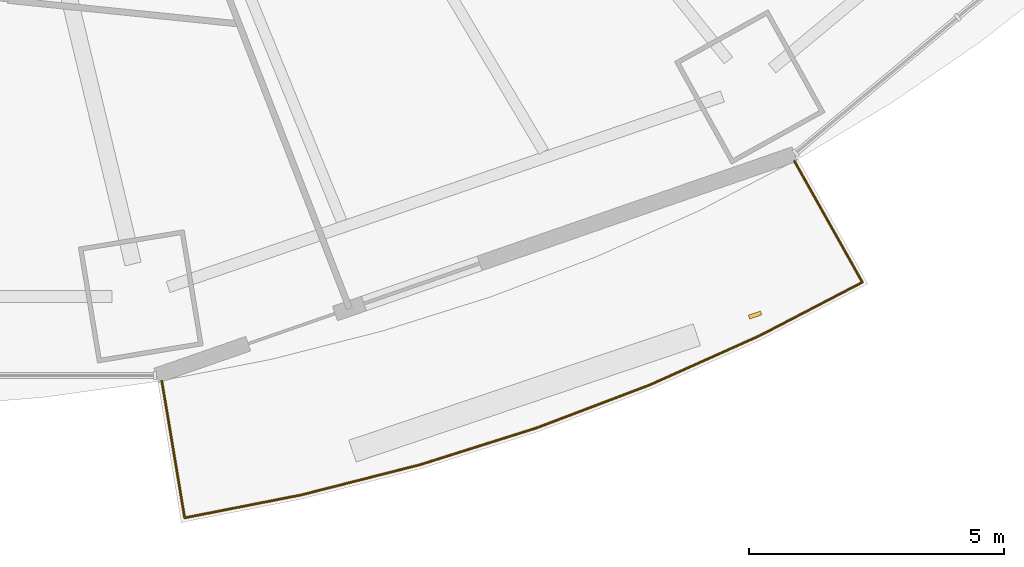
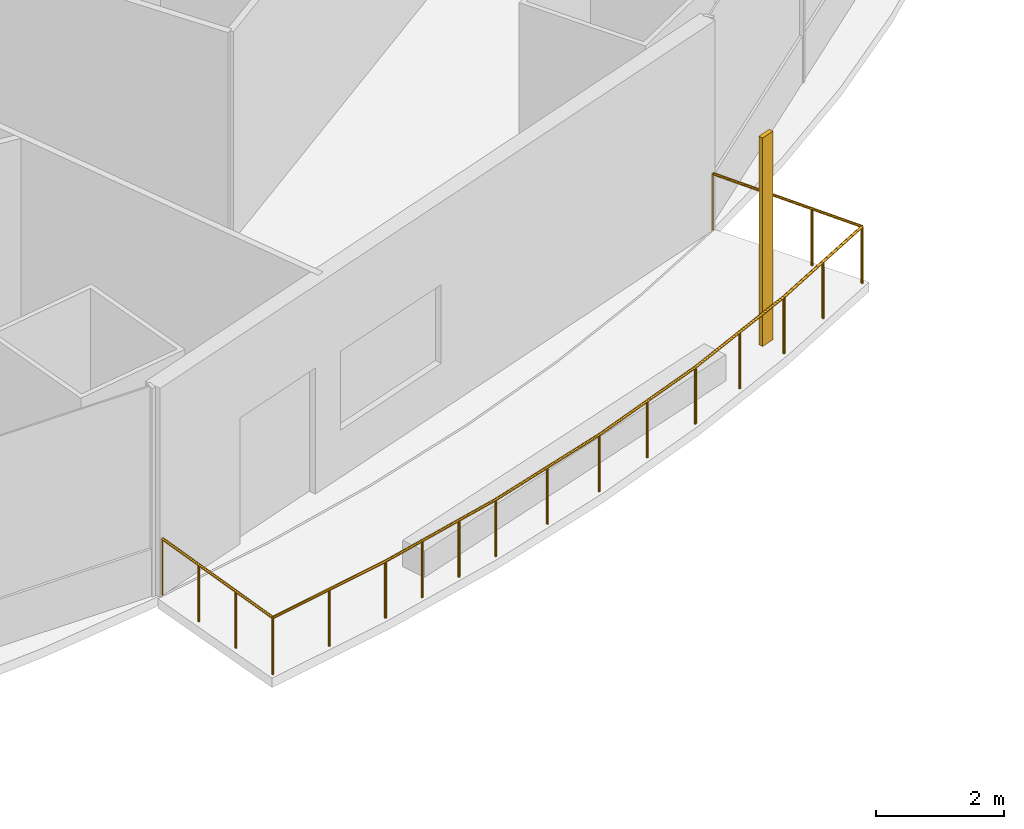
# One storey, part 18 of 22: 1 railing, 1 shading device.
"""IFC4 building model written with IfcOpenShell, lengths in metres."""

from ifc_helpers import new_model, si_unit, direction, frame, origin, origin_2d, place, context, subcontext, project, spatial, rectangle, circle, extrude, material, material_profile, profile_set, type_object, element, save


model = new_model("IFC4")

# Units and contexts
model_context = context("Model", 3, precision=1e-05, world=origin(), true_north=direction((0.0, 1.0)))
body_context = subcontext(model_context, "Body", "Model", "MODEL_VIEW")
ifc_project = project(units=[si_unit("LENGTHUNIT", "METRE"), si_unit("AREAUNIT", "SQUARE_METRE"), si_unit("VOLUMEUNIT", "CUBIC_METRE"), si_unit("PLANEANGLEUNIT", "RADIAN"), si_unit("MASSUNIT", "GRAM", prefix="KILO")], contexts=[model_context])

# Site, building, storey
site_placement = place(None, origin())
site = spatial("IfcSite", under=ifc_project, at=site_placement, CompositionType="ELEMENT")
building_placement = place(site_placement, origin())
building = spatial("IfcBuilding", under=site, at=building_placement, Name="Marenthal Gate Tower", CompositionType="ELEMENT")
storey_placement = place(building_placement, frame((0.0, 0.0, 95.25)))
storey = spatial("IfcBuildingStorey", under=building, at=storey_placement, Name="L19", CompositionType="ELEMENT", Elevation=95.25)

# Railing
ifc_material_1 = material(Name="Stainless steel", Category="steel")
railing_type = type_object("IfcRailingType", Name="Balcony guard 1100", PredefinedType="GUARDRAIL", material=ifc_material_1)
railing_placement = place(storey_placement, frame((19.25732421875, -24.295654296875, 0.0)))
element("IfcRailing", 1, at=railing_placement, inside=storey, type_object=railing_type, Name="Balcony guard L19 bay 13", PredefinedType="GUARDRAIL", context=body_context, shape_type="SweptSolid", body=[
    extrude(circle(Radius=0.02392578125, at=origin_2d()), frame((0.0, 0.0, 1.076171875), z_axis=(0.489129707977, -0.872086857323, -0.014718765524), x_axis=(0.872181338021, 0.489182699621, 0.0)), (0.0, 0.0, 1.0), 2.72021484375),
    extrude(circle(Radius=0.02392578125, at=origin_2d()), frame((1.33056640625, -2.372314453125, 1.0361328125), z_axis=(-0.887149676746, -0.461481799261, 0.0), x_axis=(0.461481799261, -0.887149676746, 0.0)), (0.0, 0.0, 1.0), 2.26318359375),
    extrude(circle(Radius=0.02392578125, at=origin_2d()), frame((-0.67724609375, -3.416748046875, 1.0361328125), z_axis=(-0.91251864488, -0.409035111876, 0.0), x_axis=(0.409035111876, -0.91251864488, 0.0)), (0.0, 0.0, 1.0), 2.360107421875),
    extrude(circle(Radius=0.02392578125, at=origin_2d()), frame((-2.830810546875, -4.382080078125, 1.0361328125), z_axis=(-0.934799959644, -0.355174654852, 0.0), x_axis=(0.355174654852, -0.934799959644, 0.0)), (0.0, 0.0, 1.0), 2.37548828125),
    extrude(circle(Radius=0.02392578125, at=origin_2d()), frame((-5.051513671875, -5.225830078125, 1.0361328125), z_axis=(-0.953610460093, -0.301043336416, 0.0), x_axis=(0.301043336416, -0.953610460093, 0.0)), (0.0, 0.0, 1.0), 2.38916015625),
    extrude(circle(Radius=0.02392578125, at=origin_2d()), frame((-7.329833984375, -5.945068359375, 1.0361328125), z_axis=(-0.969123243842, -0.246576840449, 0.0), x_axis=(0.246576840449, -0.969123243842, 0.0)), (0.0, 0.0, 1.0), 2.401123046875),
    extrude(circle(Radius=0.02392578125, at=origin_2d()), frame((-9.65673828125, -6.537109375, 1.0361328125), z_axis=(-0.981231836587, -0.192831747562, 0.0), x_axis=(0.192831747562, -0.981231836587, 0.0)), (0.0, 0.0, 1.0), 2.330810546875),
    extrude(circle(Radius=0.02392578125, at=origin_2d()), frame((-11.94384765625, -6.986572265625, 1.0361328125), z_axis=(-0.164584914213, 0.986253111889, 0.014717516865), x_axis=(-0.986359943071, -0.164602742092, 0.0)), (0.0, 0.0, 1.0), 2.720458984375),
    extrude(circle(Radius=0.02099609375, at=origin_2d()), origin(), (0.0, 0.0, 1.0), 1.052001953125),
    extrude(circle(Radius=0.02099609375, at=origin_2d()), frame((0.443603515625, -0.790771484375, -0.013427734375)), (0.0, 0.0, 1.0), 1.052001953125),
    extrude(circle(Radius=0.02099609375, at=origin_2d()), frame((0.886962890625, -1.58154296875, -0.026611328125)), (0.0, 0.0, 1.0), 1.052001953125),
    extrude(circle(Radius=0.02099609375, at=origin_2d()), frame((1.33056640625, -2.372314453125, -0.0400390625)), (0.0, 0.0, 1.0), 1.052001953125),
    extrude(circle(Radius=0.02099609375, at=origin_2d()), frame((0.32666015625, -2.89453125, -0.0400390625)), (0.0, 0.0, 1.0), 1.052001953125),
    extrude(circle(Radius=0.02099609375, at=origin_2d()), frame((-0.67724609375, -3.416748046875, -0.0400390625)), (0.0, 0.0, 1.0), 1.052001953125),
    extrude(circle(Radius=0.02099609375, at=origin_2d()), frame((-1.75390625, -3.8994140625, -0.0400390625)), (0.0, 0.0, 1.0), 1.052001953125),
    extrude(circle(Radius=0.02099609375, at=origin_2d()), frame((-2.830810546875, -4.382080078125, -0.0400390625)), (0.0, 0.0, 1.0), 1.052001953125),
    extrude(circle(Radius=0.02099609375, at=origin_2d()), frame((-3.941162109375, -4.803955078125, -0.0400390625)), (0.0, 0.0, 1.0), 1.052001953125),
    extrude(circle(Radius=0.02099609375, at=origin_2d()), frame((-5.051513671875, -5.225830078125, -0.0400390625)), (0.0, 0.0, 1.0), 1.052001953125),
    extrude(circle(Radius=0.02099609375, at=origin_2d()), frame((-6.190673828125, -5.58544921875, -0.0400390625)), (0.0, 0.0, 1.0), 1.052001953125),
    extrude(circle(Radius=0.02099609375, at=origin_2d()), frame((-7.329833984375, -5.945068359375, -0.0400390625)), (0.0, 0.0, 1.0), 1.052001953125),
    extrude(circle(Radius=0.02099609375, at=origin_2d()), frame((-8.10546875, -6.142333984375, -0.0400390625)), (0.0, 0.0, 1.0), 1.052001953125),
    extrude(circle(Radius=0.02099609375, at=origin_2d()), frame((-8.881103515625, -6.33984375, -0.0400390625)), (0.0, 0.0, 1.0), 1.052001953125),
    extrude(circle(Radius=0.02099609375, at=origin_2d()), frame((-9.65673828125, -6.537109375, -0.0400390625)), (0.0, 0.0, 1.0), 1.052001953125),
    extrude(circle(Radius=0.02099609375, at=origin_2d()), frame((-10.80029296875, -6.76171875, -0.0400390625)), (0.0, 0.0, 1.0), 1.052001953125),
    extrude(circle(Radius=0.02099609375, at=origin_2d()), frame((-11.94384765625, -6.986572265625, -0.0400390625)), (0.0, 0.0, 1.0), 1.052001953125),
    extrude(circle(Radius=0.02099609375, at=origin_2d()), frame((-12.093017578125, -6.09228515625, -0.026611328125)), (0.0, 0.0, 1.0), 1.052001953125),
    extrude(circle(Radius=0.02099609375, at=origin_2d()), frame((-12.242431640625, -5.19775390625, -0.013427734375)), (0.0, 0.0, 1.0), 1.052001953125),
    extrude(circle(Radius=0.02099609375, at=origin_2d()), frame((-12.3916015625, -4.303466796875, 0.0)), (0.0, 0.0, 1.0), 1.052001953125),
])

# Shading device
ifc_material_2 = material(Name="Terracotta", Category="masonry")
ifc_material_profile = material_profile(ifc_material_2, rectangle(XDim=0.25, YDim=0.080078125, at=origin_2d()), Name="Terracotta baguette 250x80")
ifc_profile_set = profile_set([ifc_material_profile], Name="Terracotta")
shading_device_type = type_object("IfcShadingDeviceType", Name="Terracotta BAGUETTE SCREEN 250x80", PredefinedType="USERDEFINED", material=ifc_profile_set)
shading_device_placement = place(storey_placement, frame((18.486572265625, -27.31005859375, -0.0400390625), z_axis=(0.0, 0.0, 1.0), x_axis=(0.94461425051, 0.328182750512, 0.0)))
element("IfcShadingDevice", 2, at=shading_device_placement, inside=storey, type_object=shading_device_type, Name="Terracotta BAGUETTE L19 bay 13R", ObjectType="BAGUETTE SCREEN", PredefinedType="USERDEFINED", context=body_context, shape_type="SweptSolid", body=[
    extrude(rectangle(XDim=0.25, YDim=0.080078125, at=origin_2d()), origin(), (0.0, 0.0, 1.0), 3.969970703125),
])

save(model, "model.ifc")
